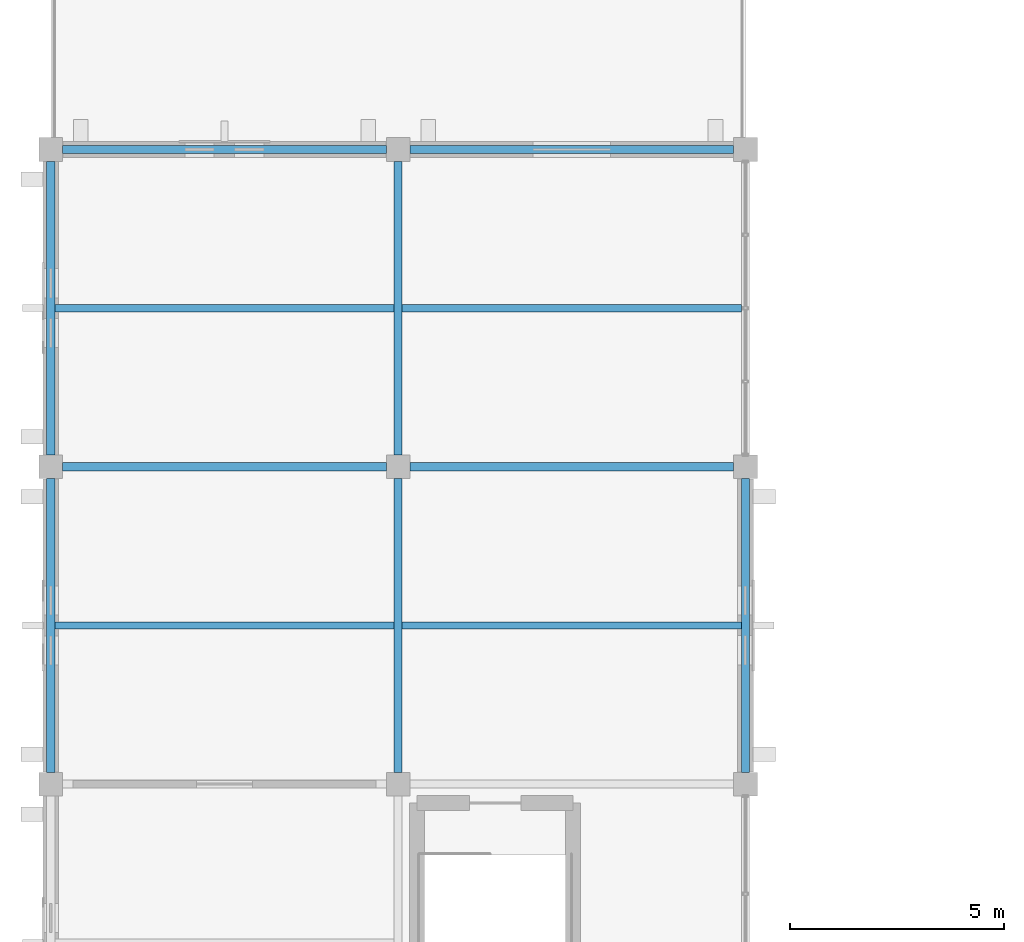
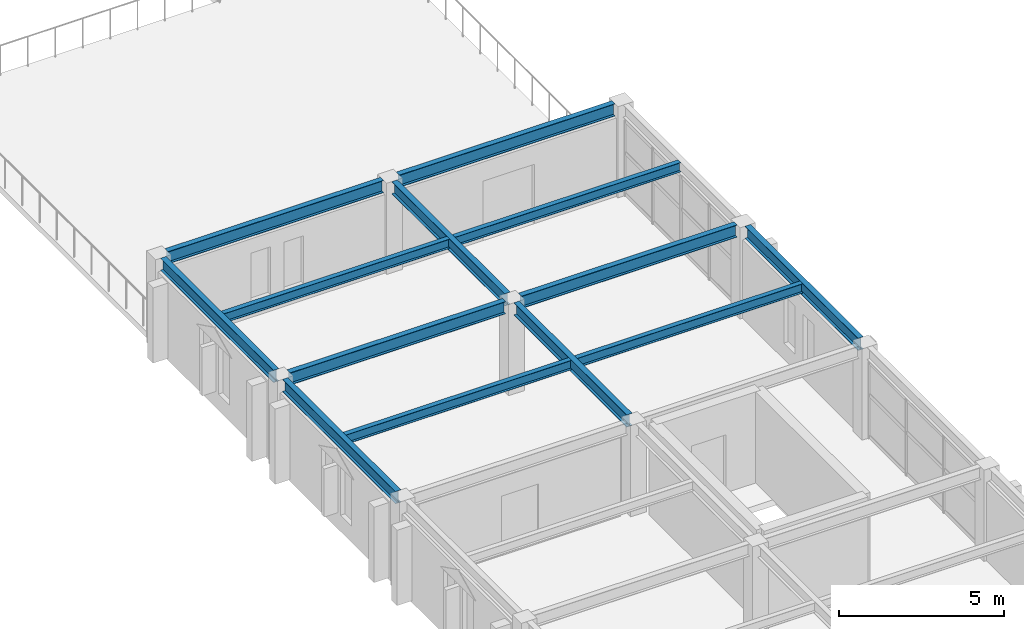
# One storey, part 17 of 93: 13 beams.
"""IFC4 building model written with IfcOpenShell, lengths in metres."""

from ifc_helpers import new_model, si_unit, direction, frame, origin, origin_2d, place, context, subcontext, project, spatial, i_section, extrude, material, material_profile, profile_set, type_object, element, save


model = new_model("IFC4")

# Units and contexts
model_context = context("Model", 3, precision=1e-05, world=origin(), true_north=direction((0.0, 1.0)))
body_context = subcontext(model_context, "Body", "Model", "MODEL_VIEW")
ifc_project = project(units=[si_unit("LENGTHUNIT", "METRE"), si_unit("AREAUNIT", "SQUARE_METRE"), si_unit("VOLUMEUNIT", "CUBIC_METRE"), si_unit("PLANEANGLEUNIT", "RADIAN"), si_unit("MASSUNIT", "GRAM", prefix="KILO")], contexts=[model_context])

# Site, building, storey
site_placement = place(None, origin())
site = spatial("IfcSite", under=ifc_project, at=site_placement, CompositionType="ELEMENT")
building_placement = place(site_placement, origin())
building = spatial("IfcBuilding", under=site, at=building_placement, Name="Cimatlan Art Gallery", CompositionType="ELEMENT")
storey_placement = place(building_placement, frame((0.0, 0.0, 13.800048828125)))
storey = spatial("IfcBuildingStorey", under=building, at=storey_placement, Name="L03", CompositionType="ELEMENT", Elevation=13.800048828125)

# Beams
ifc_material = material(Name="Steel ASTM A992 Grade 50", Category="steel")
ifc_material_profile_1 = material_profile(ifc_material, i_section(OverallWidth=0.1708984375, OverallDepth=0.35107421875, WebThickness=0.0068359375, FlangeThickness=0.009765625, at=origin_2d()), Name="W14X30")
ifc_profile_set_1 = profile_set([ifc_material_profile_1], Name="Steel ASTM A992 Grade 50")
beam_type_1 = type_object("IfcBeamType", Name="BM-STL-W14X30", PredefinedType="JOIST", material=ifc_profile_set_1)
for number, where, z_axis, x_axis, name in (
    (1, (2.095458984375, 57.199951171875, 3.204345703125), (1.0, 0.0, 0.0), (0.0, 1.0, 0.0), "JST-L03-00-07"),
    (2, (2.095458984375, 64.60009765625, 3.204345703125), (1.0, 0.0, 0.0), (0.0, 1.0, 0.0), "JST-L03-00-08"),
    (3, (10.195556640625, 57.199951171875, 3.204345703125), (1.0, 0.0, 0.0), (0.0, 1.0, 0.0), "JST-L03-01-07"),
    (4, (10.195556640625, 64.60009765625, 3.204345703125), (1.0, 0.0, 0.0), (0.0, 1.0, 0.0), "JST-L03-01-08"),
):
    element("IfcBeam", number, at=place(storey_placement, frame(where, z_axis=z_axis, x_axis=x_axis)), inside=storey, type_object=beam_type_1, Name=name, PredefinedType="JOIST", context=body_context, shape_type="SweptSolid", body=[
        extrude(i_section(OverallWidth=0.1708984375, OverallDepth=0.35107421875, WebThickness=0.0068359375, FlangeThickness=0.009765625, at=origin_2d()), origin(), (0.0, 0.0, 1.0), 7.908935546875),
    ])
ifc_material_profile_2 = material_profile(ifc_material, i_section(OverallWidth=0.19091796875, OverallDepth=0.45703125, WebThickness=0.009033203125, FlangeThickness=0.014404296875, at=origin_2d()), Name="W18X50")
ifc_profile_set_2 = profile_set([ifc_material_profile_2], Name="Steel ASTM A992 Grade 50")
beam_type_2 = type_object("IfcBeamType", Name="BM-STL-W18X50", PredefinedType="BEAM", material=ifc_profile_set_2)
beam_1_placement = place(storey_placement, frame((2.0, 53.77490234375, 3.1513671875), z_axis=(0.0, 1.0, 0.0), x_axis=(-1.0, 0.0, 0.0)))
element("IfcBeam", 5, at=beam_1_placement, inside=storey, type_object=beam_type_2, Name="BM-Y-L03-00-07", PredefinedType="BEAM", context=body_context, shape_type="SweptSolid", body=[
    extrude(i_section(OverallWidth=0.19091796875, OverallDepth=0.45703125, WebThickness=0.009033203125, FlangeThickness=0.014404296875, at=origin_2d()), origin(), (0.0, 0.0, 1.0), 6.85009765625),
])
beam_2_placement = place(storey_placement, frame((2.0, 61.175048828125, 3.1513671875), z_axis=(0.0, 1.0, 0.0), x_axis=(-1.0, 0.0, 0.0)))
element("IfcBeam", 6, at=beam_2_placement, inside=storey, type_object=beam_type_2, Name="BM-Y-L03-00-08", PredefinedType="BEAM", context=body_context, shape_type="SweptSolid", body=[
    extrude(i_section(OverallWidth=0.19091796875, OverallDepth=0.45703125, WebThickness=0.009033203125, FlangeThickness=0.014404296875, at=origin_2d()), origin(), (0.0, 0.0, 1.0), 6.849853515625),
])
beam_3_placement = place(storey_placement, frame((10.10009765625, 53.77490234375, 3.1513671875), z_axis=(0.0, 1.0, 0.0), x_axis=(-1.0, 0.0, 0.0)))
element("IfcBeam", 7, at=beam_3_placement, inside=storey, type_object=beam_type_2, Name="BM-Y-L03-01-07", PredefinedType="BEAM", context=body_context, shape_type="SweptSolid", body=[
    extrude(i_section(OverallWidth=0.19091796875, OverallDepth=0.45703125, WebThickness=0.009033203125, FlangeThickness=0.014404296875, at=origin_2d()), origin(), (0.0, 0.0, 1.0), 6.85009765625),
])
beam_4_placement = place(storey_placement, frame((10.10009765625, 61.175048828125, 3.1513671875), z_axis=(0.0, 1.0, 0.0), x_axis=(-1.0, 0.0, 0.0)))
element("IfcBeam", 8, at=beam_4_placement, inside=storey, type_object=beam_type_2, Name="BM-Y-L03-01-08", PredefinedType="BEAM", context=body_context, shape_type="SweptSolid", body=[
    extrude(i_section(OverallWidth=0.19091796875, OverallDepth=0.45703125, WebThickness=0.009033203125, FlangeThickness=0.014404296875, at=origin_2d()), origin(), (0.0, 0.0, 1.0), 6.849853515625),
])
beam_5_placement = place(storey_placement, frame((18.199951171875, 53.77490234375, 3.1513671875), z_axis=(0.0, 1.0, 0.0), x_axis=(-1.0, 0.0, 0.0)))
element("IfcBeam", 9, at=beam_5_placement, inside=storey, type_object=beam_type_2, Name="BM-Y-L03-02-07", PredefinedType="BEAM", context=body_context, shape_type="SweptSolid", body=[
    extrude(i_section(OverallWidth=0.19091796875, OverallDepth=0.45703125, WebThickness=0.009033203125, FlangeThickness=0.014404296875, at=origin_2d()), origin(), (0.0, 0.0, 1.0), 6.85009765625),
])
for number, where, z_axis, x_axis, name in (
    (10, (2.27490234375, 60.89990234375, 3.1513671875), (1.0, 0.0, 0.0), (0.0, 1.0, 0.0), "BM-X-L03-00-08"),
    (11, (2.27490234375, 68.300048828125, 3.1513671875), (1.0, 0.0, 0.0), (0.0, 1.0, 0.0), "BM-X-L03-00-09"),
    (12, (10.375, 60.89990234375, 3.1513671875), (1.0, 0.0, 0.0), (0.0, 1.0, 0.0), "BM-X-L03-01-08"),
    (13, (10.375, 68.300048828125, 3.1513671875), (1.0, 0.0, 0.0), (0.0, 1.0, 0.0), "BM-X-L03-01-09"),
):
    element("IfcBeam", number, at=place(storey_placement, frame(where, z_axis=z_axis, x_axis=x_axis)), inside=storey, type_object=beam_type_2, Name=name, PredefinedType="BEAM", context=body_context, shape_type="SweptSolid", body=[
        extrude(i_section(OverallWidth=0.19091796875, OverallDepth=0.45703125, WebThickness=0.009033203125, FlangeThickness=0.014404296875, at=origin_2d()), origin(), (0.0, 0.0, 1.0), 7.550048828125),
    ])

save(model, "model.ifc")
